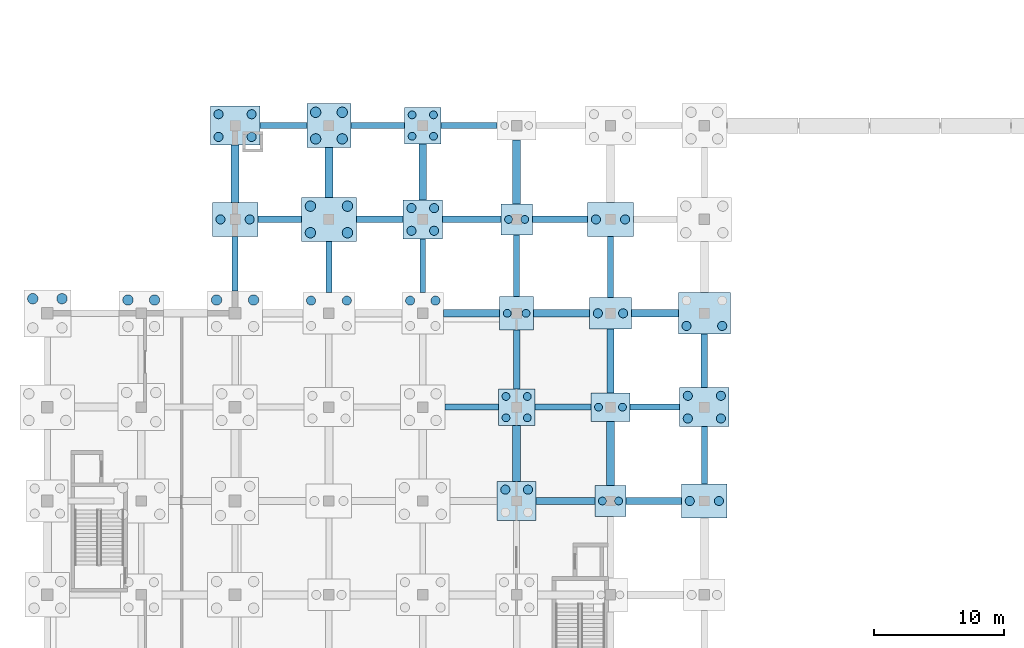
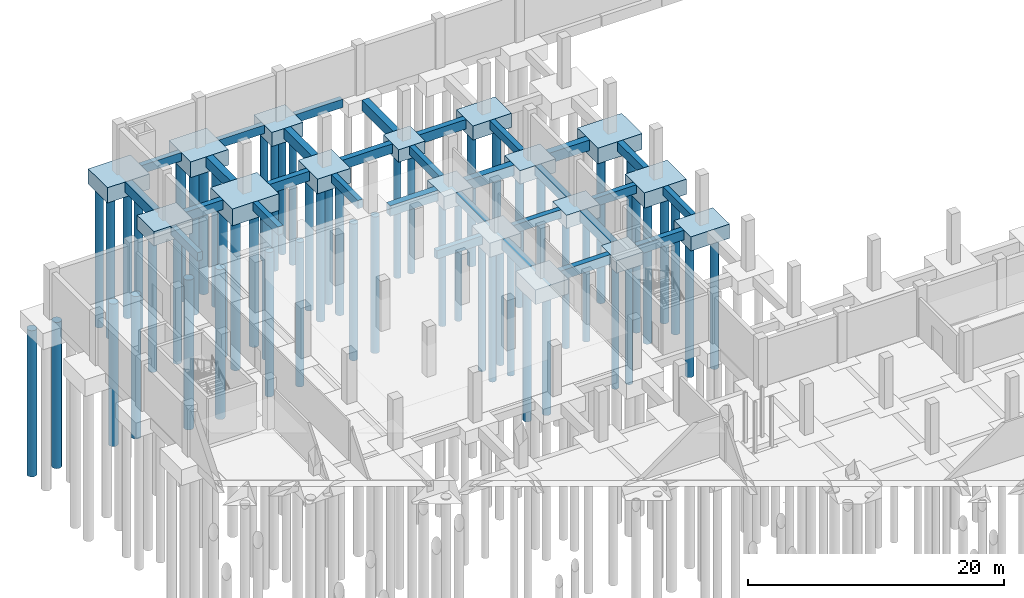
# One storey, part 9 of 38: 58 piles, 47 footings.
"""IFC4 building model written with IfcOpenShell, lengths in metres."""

from ifc_helpers import new_model, si_unit, direction, frame, origin, origin_2d, place, context, subcontext, project, spatial, rectangle, circle, extrude, material, material_profile, profile_set, type_object, element, save


model = new_model("IFC4")

# Units and contexts
model_context = context("Model", 3, precision=1e-05, world=origin(), true_north=direction((0.0, 1.0)))
body_context = subcontext(model_context, "Body", "Model", "MODEL_VIEW")
ifc_project = project(units=[si_unit("LENGTHUNIT", "METRE"), si_unit("AREAUNIT", "SQUARE_METRE"), si_unit("VOLUMEUNIT", "CUBIC_METRE"), si_unit("PLANEANGLEUNIT", "RADIAN"), si_unit("MASSUNIT", "GRAM", prefix="KILO")], contexts=[model_context])

# Site, building, storey
site_placement = place(None, origin())
site = spatial("IfcSite", under=ifc_project, at=site_placement, CompositionType="ELEMENT")
building_placement = place(site_placement, origin())
building = spatial("IfcBuilding", under=site, at=building_placement, Name="Valkovuoma Quantum and Materials Research Institute", CompositionType="ELEMENT")
storey_placement = place(building_placement, frame((0.0, 0.0, -4.800048828125)))
storey = spatial("IfcBuildingStorey", under=building, at=storey_placement, Name="B1", CompositionType="ELEMENT", Elevation=-4.800048828125)

# Footings
ifc_material_1 = material(Name="Concrete C35/45", Category="concrete")
footing_type_1 = type_object("IfcFootingType", Name="Cap-PC-03", PredefinedType="PILE_CAP", material=ifc_material_1)
for number, where, z_axis, x_axis, name in (
    (1, (36.0, 100.800048828125, -1.19970703125), (0.0, 0.0, 1.0), (1.0, 0.0, 0.0), "B1 pile cap 06Q"),
    (2, (43.199951171875, 79.199951171875, -1.19970703125), (0.0, 0.0, 1.0), (1.0, 0.0, 0.0), "B1 pile cap 07M"),
):
    element("IfcFooting", number, at=place(storey_placement, frame(where, z_axis=z_axis, x_axis=x_axis)), inside=storey, type_object=footing_type_1, Name=name, PredefinedType="PILE_CAP", context=body_context, shape_type="SweptSolid", body=[
        extrude(rectangle(XDim=2.39990234375, YDim=2.39990234375, at=origin_2d()), origin(), (0.0, 0.0, 1.0), 1.199951171875),
    ])
ifc_material_2 = material(Name="Concrete C35/45", Category="concrete")
footing_type_2 = type_object("IfcFootingType", Name="Cap-PC-04", PredefinedType="PILE_CAP", material=ifc_material_2)
footing_1_placement = place(storey_placement, frame((36.0, 93.60009765625, -1.2998046875), z_axis=(0.0, 0.0, 1.0), x_axis=(1.0, 0.0, 0.0)))
element("IfcFooting", 3, at=footing_1_placement, inside=storey, type_object=footing_type_2, Name="B1 pile cap 06P", PredefinedType="PILE_CAP", context=body_context, shape_type="SweptSolid", body=[
    extrude(rectangle(XDim=2.60009765625, YDim=2.60009765625, at=origin_2d()), origin(), (0.0, 0.0, 1.0), 1.300048828125),
])
ifc_material_3 = material(Name="Concrete C35/45", Category="concrete")
footing_type_3 = type_object("IfcFootingType", Name="Cap-PC-05", PredefinedType="PILE_CAP", material=ifc_material_3)
for number, where, z_axis, x_axis, name in (
    (4, (28.800048828125, 108.0, -1.35009765625), (0.0, 0.0, 1.0), (1.0, 0.0, 0.0), "B1 pile cap 05R"),
    (5, (36.0, 86.39990234375, -1.35009765625), (0.0, 0.0, 1.0), (1.0, 0.0, 0.0), "B1 pile cap 06N"),
):
    element("IfcFooting", number, at=place(storey_placement, frame(where, z_axis=z_axis, x_axis=x_axis)), inside=storey, type_object=footing_type_3, Name=name, PredefinedType="PILE_CAP", context=body_context, shape_type="SweptSolid", body=[
        extrude(rectangle(XDim=2.800048828125, YDim=2.800048828125, at=origin_2d()), origin(), (0.0, 0.0, 1.0), 1.35009765625),
    ])
ifc_material_4 = material(Name="Concrete C35/45", Category="concrete")
footing_type_4 = type_object("IfcFootingType", Name="Cap-PC-06", PredefinedType="PILE_CAP", material=ifc_material_4)
for number, where, z_axis, x_axis, name in (
    (6, (28.800048828125, 100.800048828125, -1.39990234375), (0.0, 0.0, 1.0), (1.0, 0.0, 0.0), "B1 pile cap 05Q"),
    (7, (36.0, 79.199951171875, -1.39990234375), (0.0, 0.0, 1.0), (1.0, 0.0, 0.0), "B1 pile cap 06M"),
):
    element("IfcFooting", number, at=place(storey_placement, frame(where, z_axis=z_axis, x_axis=x_axis)), inside=storey, type_object=footing_type_4, Name=name, PredefinedType="PILE_CAP", context=body_context, shape_type="SweptSolid", body=[
        extrude(rectangle(XDim=3.0, YDim=3.0, at=origin_2d()), origin(), (0.0, 0.0, 1.0), 1.39990234375),
    ])
ifc_material_5 = material(Name="Concrete C35/45", Category="concrete")
footing_type_5 = type_object("IfcFootingType", Name="Cap-PC-08", PredefinedType="PILE_CAP", material=ifc_material_5)
footing_2_placement = place(storey_placement, frame((21.60009765625, 108.0, -1.5), z_axis=(0.0, 0.0, 1.0), x_axis=(1.0, 0.0, 0.0)))
element("IfcFooting", 8, at=footing_2_placement, inside=storey, type_object=footing_type_5, Name="B1 pile cap 04R", PredefinedType="PILE_CAP", context=body_context, shape_type="SweptSolid", body=[
    extrude(rectangle(XDim=3.39990234375, YDim=3.39990234375, at=origin_2d()), origin(), (0.0, 0.0, 1.0), 1.5),
])
ifc_material_6 = material(Name="Concrete C35/45", Category="concrete")
footing_type_6 = type_object("IfcFootingType", Name="Cap-PC-11", PredefinedType="PILE_CAP", material=ifc_material_6)
footing_3_placement = place(storey_placement, frame((43.199951171875, 86.39990234375, -1.25), z_axis=(0.0, 0.0, 1.0), x_axis=(1.0, 0.0, 0.0)))
element("IfcFooting", 9, at=footing_3_placement, inside=storey, type_object=footing_type_6, Name="B1 pile cap 07N", PredefinedType="PILE_CAP", context=body_context, shape_type="SweptSolid", body=[
    extrude(rectangle(XDim=3.0, YDim=2.199951171875, at=origin_2d()), origin(), (0.0, 0.0, 1.0), 1.25),
])
ifc_material_7 = material(Name="Concrete C35/45", Category="concrete")
footing_type_7 = type_object("IfcFootingType", Name="Cap-PC-12", PredefinedType="PILE_CAP", material=ifc_material_7)
footing_4_placement = place(storey_placement, frame((43.199951171875, 93.60009765625, -1.2998046875), z_axis=(0.0, 0.0, 1.0), x_axis=(1.0, 0.0, 0.0)))
element("IfcFooting", 10, at=footing_4_placement, inside=storey, type_object=footing_type_7, Name="B1 pile cap 07P", PredefinedType="PILE_CAP", context=body_context, shape_type="SweptSolid", body=[
    extrude(rectangle(XDim=3.199951171875, YDim=2.39990234375, at=origin_2d()), origin(), (0.0, 0.0, 1.0), 1.300048828125),
])
ifc_material_8 = material(Name="Concrete C35/45", Category="concrete")
footing_type_8 = type_object("IfcFootingType", Name="Cap-PC-13", PredefinedType="PILE_CAP", material=ifc_material_8)
for number, where, z_axis, x_axis, name in (
    (11, (14.39990234375, 100.800048828125, -1.35009765625), (0.0, 0.0, 1.0), (1.0, 0.0, 0.0), "B1 pile cap 03Q"),
    (12, (43.199951171875, 100.800048828125, -1.35009765625), (0.0, 0.0, 1.0), (1.0, 0.0, 0.0), "B1 pile cap 07Q"),
    (13, (50.39990234375, 79.199951171875, -1.35009765625), (0.0, 0.0, 1.0), (1.0, 0.0, 0.0), "B1 pile cap 08M"),
):
    element("IfcFooting", number, at=place(storey_placement, frame(where, z_axis=z_axis, x_axis=x_axis)), inside=storey, type_object=footing_type_8, Name=name, PredefinedType="PILE_CAP", context=body_context, shape_type="SweptSolid", body=[
        extrude(rectangle(XDim=3.5, YDim=2.60009765625, at=origin_2d()), origin(), (0.0, 0.0, 1.0), 1.35009765625),
    ])
ifc_material_9 = material(Name="Concrete C35/45", Category="concrete")
footing_type_9 = type_object("IfcFootingType", Name="Cap-PC-14", PredefinedType="PILE_CAP", material=ifc_material_9)
for number, where, z_axis, x_axis, name in (
    (14, (14.39990234375, 108.0, -1.44970703125), (0.0, 0.0, 1.0), (1.0, 0.0, 0.0), "B1 pile cap 03R"),
    (15, (50.39990234375, 86.39990234375, -1.44970703125), (0.0, 0.0, 1.0), (1.0, 0.0, 0.0), "B1 pile cap 08N"),
):
    element("IfcFooting", number, at=place(storey_placement, frame(where, z_axis=z_axis, x_axis=x_axis)), inside=storey, type_object=footing_type_9, Name=name, PredefinedType="PILE_CAP", context=body_context, shape_type="SweptSolid", body=[
        extrude(rectangle(XDim=3.800048828125, YDim=3.0, at=origin_2d()), origin(), (0.0, 0.0, 1.0), 1.449951171875),
    ])
ifc_material_10 = material(Name="Concrete C35/45", Category="concrete")
footing_type_10 = type_object("IfcFootingType", Name="Cap-PC-15", PredefinedType="PILE_CAP", material=ifc_material_10)
footing_5_placement = place(storey_placement, frame((50.39990234375, 93.60009765625, -1.5), z_axis=(0.0, 0.0, 1.0), x_axis=(1.0, 0.0, 0.0)))
element("IfcFooting", 16, at=footing_5_placement, inside=storey, type_object=footing_type_10, Name="B1 pile cap 08P", PredefinedType="PILE_CAP", context=body_context, shape_type="SweptSolid", body=[
    extrude(rectangle(XDim=4.0, YDim=3.199951171875, at=origin_2d()), origin(), (0.0, 0.0, 1.0), 1.5),
])
ifc_material_11 = material(Name="Concrete C35/45", Category="concrete")
footing_type_11 = type_object("IfcFootingType", Name="Cap-PC-16", PredefinedType="PILE_CAP", material=ifc_material_11)
footing_6_placement = place(storey_placement, frame((21.60009765625, 100.800048828125, -1.60009765625), z_axis=(0.0, 0.0, 1.0), x_axis=(1.0, 0.0, 0.0)))
element("IfcFooting", 17, at=footing_6_placement, inside=storey, type_object=footing_type_11, Name="B1 pile cap 04Q", PredefinedType="PILE_CAP", context=body_context, shape_type="SweptSolid", body=[
    extrude(rectangle(XDim=4.199951171875, YDim=3.39990234375, at=origin_2d()), origin(), (0.0, 0.0, 1.0), 1.60009765625),
])
ifc_material_12 = material(Name="Concrete C35/45", Category="concrete")
footing_type_12 = type_object("IfcFootingType", Name="GndBeam-FB-01", PredefinedType="FOOTING_BEAM", material=ifc_material_12)
footing_7_placement = place(storey_placement, frame((14.39990234375, 97.39990234375, -0.7998046875), z_axis=(0.0, 0.0, 1.0), x_axis=(0.0, 1.0, 0.0)))
element("IfcFooting", 18, at=footing_7_placement, inside=storey, type_object=footing_type_12, Name="B1 ground tie beam Y-057", PredefinedType="FOOTING_BEAM", context=body_context, shape_type="SweptSolid", body=[
    extrude(rectangle(XDim=4.199951171875, YDim=0.449951171875, at=origin_2d()), origin(), (0.0, 0.0, 1.0), 0.800048828125),
])
footing_8_placement = place(storey_placement, frame((18.10009765625, 108.0, -0.7998046875), z_axis=(0.0, 0.0, 1.0), x_axis=(1.0, 0.0, 0.0)))
element("IfcFooting", 19, at=footing_8_placement, inside=storey, type_object=footing_type_12, Name="B1 ground tie beam X-060", PredefinedType="FOOTING_BEAM", context=body_context, shape_type="SweptSolid", body=[
    extrude(rectangle(XDim=3.60009765625, YDim=0.449951171875, at=origin_2d()), origin(), (0.0, 0.0, 1.0), 0.800048828125),
])
footing_9_placement = place(storey_placement, frame((21.60009765625, 97.14990234375, -0.7998046875), z_axis=(0.0, 0.0, 1.0), x_axis=(0.0, 1.0, 0.0)))
element("IfcFooting", 20, at=footing_9_placement, inside=storey, type_object=footing_type_12, Name="B1 ground tie beam Y-078", PredefinedType="FOOTING_BEAM", context=body_context, shape_type="SweptSolid", body=[
    extrude(rectangle(XDim=3.89990234375, YDim=0.449951171875, at=origin_2d()), origin(), (0.0, 0.0, 1.0), 0.800048828125),
])
for number, where, z_axis, x_axis, name in (
    (21, (25.35009765625, 108.0, -0.7998046875), (0.0, 0.0, 1.0), (1.0, 0.0, 0.0), "B1 ground tie beam X-081"),
    (22, (32.550048828125, 86.39990234375, -0.7998046875), (0.0, 0.0, 1.0), (1.0, 0.0, 0.0), "B1 ground tie beam X-096"),
    (23, (28.800048828125, 97.25, -0.7998046875), (0.0, 0.0, 1.0), (0.0, 1.0, 0.0), "B1 ground tie beam Y-099"),
):
    element("IfcFooting", number, at=place(storey_placement, frame(where, z_axis=z_axis, x_axis=x_axis)), inside=storey, type_object=footing_type_12, Name=name, PredefinedType="FOOTING_BEAM", context=body_context, shape_type="SweptSolid", body=[
        extrude(rectangle(XDim=4.10009765625, YDim=0.449951171875, at=origin_2d()), origin(), (0.0, 0.0, 1.0), 0.800048828125),
    ])
for number, where, z_axis, x_axis, name in (
    (24, (32.35009765625, 108.0, -0.7998046875), (0.0, 0.0, 1.0), (1.0, 0.0, 0.0), "B1 ground tie beam X-102"),
    (25, (39.550048828125, 86.39990234375, -0.7998046875), (0.0, 0.0, 1.0), (1.0, 0.0, 0.0), "B1 ground tie beam X-117"),
):
    element("IfcFooting", number, at=place(storey_placement, frame(where, z_axis=z_axis, x_axis=x_axis)), inside=storey, type_object=footing_type_12, Name=name, PredefinedType="FOOTING_BEAM", context=body_context, shape_type="SweptSolid", body=[
        extrude(rectangle(XDim=4.300048828125, YDim=0.449951171875, at=origin_2d()), origin(), (0.0, 0.0, 1.0), 0.800048828125),
    ])
footing_10_placement = place(storey_placement, frame((36.0, 97.25, -0.7998046875), z_axis=(0.0, 0.0, 1.0), x_axis=(0.0, 1.0, 0.0)))
element("IfcFooting", 26, at=footing_10_placement, inside=storey, type_object=footing_type_12, Name="B1 ground tie beam Y-120", PredefinedType="FOOTING_BEAM", context=body_context, shape_type="SweptSolid", body=[
    extrude(rectangle(XDim=4.699951171875, YDim=0.449951171875, at=origin_2d()), origin(), (0.0, 0.0, 1.0), 0.800048828125),
])
footing_11_placement = place(storey_placement, frame((46.60009765625, 86.39990234375, -0.7998046875), z_axis=(0.0, 0.0, 1.0), x_axis=(1.0, 0.0, 0.0)))
element("IfcFooting", 27, at=footing_11_placement, inside=storey, type_object=footing_type_12, Name="B1 ground tie beam X-138", PredefinedType="FOOTING_BEAM", context=body_context, shape_type="SweptSolid", body=[
    extrude(rectangle(XDim=3.800048828125, YDim=0.449951171875, at=origin_2d()), origin(), (0.0, 0.0, 1.0), 0.800048828125),
])
footing_12_placement = place(storey_placement, frame((43.199951171875, 97.14990234375, -0.7998046875), z_axis=(0.0, 0.0, 1.0), x_axis=(0.0, 1.0, 0.0)))
element("IfcFooting", 28, at=footing_12_placement, inside=storey, type_object=footing_type_12, Name="B1 ground tie beam Y-141", PredefinedType="FOOTING_BEAM", context=body_context, shape_type="SweptSolid", body=[
    extrude(rectangle(XDim=4.699951171875, YDim=0.449951171875, at=origin_2d()), origin(), (0.0, 0.0, 1.0), 0.800048828125),
])
footing_13_placement = place(storey_placement, frame((50.39990234375, 82.699951171875, -0.7998046875), z_axis=(0.0, 0.0, 1.0), x_axis=(0.0, 1.0, 0.0)))
element("IfcFooting", 29, at=footing_13_placement, inside=storey, type_object=footing_type_12, Name="B1 ground tie beam Y-156", PredefinedType="FOOTING_BEAM", context=body_context, shape_type="SweptSolid", body=[
    extrude(rectangle(XDim=4.39990234375, YDim=0.449951171875, at=origin_2d()), origin(), (0.0, 0.0, 1.0), 0.800048828125),
])
ifc_material_13 = material(Name="Concrete C35/45", Category="concrete")
footing_type_13 = type_object("IfcFootingType", Name="GndBeam-FB-02", PredefinedType="FOOTING_BEAM", material=ifc_material_13)
footing_14_placement = place(storey_placement, frame((17.824951171875, 100.800048828125, -0.89990234375), z_axis=(0.0, 0.0, 1.0), x_axis=(1.0, 0.0, 0.0)))
element("IfcFooting", 30, at=footing_14_placement, inside=storey, type_object=footing_type_13, Name="B1 ground tie beam X-058", PredefinedType="FOOTING_BEAM", context=body_context, shape_type="SweptSolid", body=[
    extrude(rectangle(XDim=3.35009765625, YDim=0.5, at=origin_2d()), origin(), (0.0, 0.0, 1.0), 0.89990234375),
])
footing_15_placement = place(storey_placement, frame((25.5, 100.800048828125, -0.89990234375), z_axis=(0.0, 0.0, 1.0), x_axis=(1.0, 0.0, 0.0)))
element("IfcFooting", 31, at=footing_15_placement, inside=storey, type_object=footing_type_13, Name="B1 ground tie beam X-079", PredefinedType="FOOTING_BEAM", context=body_context, shape_type="SweptSolid", body=[
    extrude(rectangle(XDim=3.60009765625, YDim=0.5, at=origin_2d()), origin(), (0.0, 0.0, 1.0), 0.89990234375),
])
for number, where, z_axis, x_axis, name in (
    (32, (32.550048828125, 100.800048828125, -0.89990234375), (0.0, 0.0, 1.0), (1.0, 0.0, 0.0), "B1 ground tie beam X-100"),
    (33, (39.75, 79.199951171875, -0.89990234375), (0.0, 0.0, 1.0), (1.0, 0.0, 0.0), "B1 ground tie beam X-115"),
    (34, (36.0, 90.050048828125, -0.89990234375), (0.0, 0.0, 1.0), (0.0, 1.0, 0.0), "B1 ground tie beam Y-118"),
):
    element("IfcFooting", number, at=place(storey_placement, frame(where, z_axis=z_axis, x_axis=x_axis)), inside=storey, type_object=footing_type_13, Name=name, PredefinedType="FOOTING_BEAM", context=body_context, shape_type="SweptSolid", body=[
        extrude(rectangle(XDim=4.5, YDim=0.5, at=origin_2d()), origin(), (0.0, 0.0, 1.0), 0.89990234375),
    ])
for number, where, z_axis, x_axis, name in (
    (35, (39.324951171875, 100.800048828125, -0.89990234375), (0.0, 0.0, 1.0), (1.0, 0.0, 0.0), "B1 ground tie beam X-121"),
    (36, (46.52490234375, 79.199951171875, -0.89990234375), (0.0, 0.0, 1.0), (1.0, 0.0, 0.0), "B1 ground tie beam X-136"),
):
    element("IfcFooting", number, at=place(storey_placement, frame(where, z_axis=z_axis, x_axis=x_axis)), inside=storey, type_object=footing_type_13, Name=name, PredefinedType="FOOTING_BEAM", context=body_context, shape_type="SweptSolid", body=[
        extrude(rectangle(XDim=4.25, YDim=0.5, at=origin_2d()), origin(), (0.0, 0.0, 1.0), 0.89990234375),
    ])
footing_16_placement = place(storey_placement, frame((43.199951171875, 89.949951171875, -0.89990234375), z_axis=(0.0, 0.0, 1.0), x_axis=(0.0, 1.0, 0.0)))
element("IfcFooting", 37, at=footing_16_placement, inside=storey, type_object=footing_type_13, Name="B1 ground tie beam Y-139", PredefinedType="FOOTING_BEAM", context=body_context, shape_type="SweptSolid", body=[
    extrude(rectangle(XDim=4.89990234375, YDim=0.5, at=origin_2d()), origin(), (0.0, 0.0, 1.0), 0.89990234375),
])
footing_17_placement = place(storey_placement, frame((50.39990234375, 89.949951171875, -0.89990234375), z_axis=(0.0, 0.0, 1.0), x_axis=(0.0, 1.0, 0.0)))
element("IfcFooting", 38, at=footing_17_placement, inside=storey, type_object=footing_type_13, Name="B1 ground tie beam Y-157", PredefinedType="FOOTING_BEAM", context=body_context, shape_type="SweptSolid", body=[
    extrude(rectangle(XDim=4.10009765625, YDim=0.5, at=origin_2d()), origin(), (0.0, 0.0, 1.0), 0.89990234375),
])
ifc_material_14 = material(Name="Concrete C35/45", Category="concrete")
footing_type_14 = type_object("IfcFootingType", Name="GndBeam-FB-03", PredefinedType="FOOTING_BEAM", material=ifc_material_14)
footing_18_placement = place(storey_placement, frame((14.39990234375, 104.300048828125, -1.0), z_axis=(0.0, 0.0, 1.0), x_axis=(0.0, 1.0, 0.0)))
element("IfcFooting", 39, at=footing_18_placement, inside=storey, type_object=footing_type_14, Name="B1 ground tie beam Y-059", PredefinedType="FOOTING_BEAM", context=body_context, shape_type="SweptSolid", body=[
    extrude(rectangle(XDim=4.39990234375, YDim=0.60009765625, at=origin_2d()), origin(), (0.0, 0.0, 1.0), 1.0),
])
footing_19_placement = place(storey_placement, frame((21.60009765625, 104.39990234375, -1.0), z_axis=(0.0, 0.0, 1.0), x_axis=(0.0, 1.0, 0.0)))
element("IfcFooting", 40, at=footing_19_placement, inside=storey, type_object=footing_type_14, Name="B1 ground tie beam Y-080", PredefinedType="FOOTING_BEAM", context=body_context, shape_type="SweptSolid", body=[
    extrude(rectangle(XDim=3.800048828125, YDim=0.60009765625, at=origin_2d()), origin(), (0.0, 0.0, 1.0), 1.0),
])
for number, where, z_axis, x_axis, name in (
    (41, (32.550048828125, 93.60009765625, -1.0), (0.0, 0.0, 1.0), (1.0, 0.0, 0.0), "B1 ground tie beam X-098"),
    (42, (28.800048828125, 104.449951171875, -1.0), (0.0, 0.0, 1.0), (0.0, 1.0, 0.0), "B1 ground tie beam Y-101"),
    (43, (36.0, 82.85009765625, -1.0), (0.0, 0.0, 1.0), (0.0, 1.0, 0.0), "B1 ground tie beam Y-116"),
    (44, (39.449951171875, 93.60009765625, -1.0), (0.0, 0.0, 1.0), (1.0, 0.0, 0.0), "B1 ground tie beam X-119"),
):
    element("IfcFooting", number, at=place(storey_placement, frame(where, z_axis=z_axis, x_axis=x_axis)), inside=storey, type_object=footing_type_14, Name=name, PredefinedType="FOOTING_BEAM", context=body_context, shape_type="SweptSolid", body=[
        extrude(rectangle(XDim=4.300048828125, YDim=0.60009765625, at=origin_2d()), origin(), (0.0, 0.0, 1.0), 1.0),
    ])
for number, where, z_axis, x_axis, name in (
    (45, (36.0, 104.449951171875, -1.0), (0.0, 0.0, 1.0), (0.0, 1.0, 0.0), "B1 ground tie beam Y-122"),
    (46, (43.199951171875, 82.85009765625, -1.0), (0.0, 0.0, 1.0), (0.0, 1.0, 0.0), "B1 ground tie beam Y-137"),
):
    element("IfcFooting", number, at=place(storey_placement, frame(where, z_axis=z_axis, x_axis=x_axis)), inside=storey, type_object=footing_type_14, Name=name, PredefinedType="FOOTING_BEAM", context=body_context, shape_type="SweptSolid", body=[
        extrude(rectangle(XDim=4.89990234375, YDim=0.60009765625, at=origin_2d()), origin(), (0.0, 0.0, 1.0), 1.0),
    ])
footing_20_placement = place(storey_placement, frame((46.60009765625, 93.60009765625, -1.0), z_axis=(0.0, 0.0, 1.0), x_axis=(1.0, 0.0, 0.0)))
element("IfcFooting", 47, at=footing_20_placement, inside=storey, type_object=footing_type_14, Name="B1 ground tie beam X-140", PredefinedType="FOOTING_BEAM", context=body_context, shape_type="SweptSolid", body=[
    extrude(rectangle(XDim=3.60009765625, YDim=0.60009765625, at=origin_2d()), origin(), (0.0, 0.0, 1.0), 1.0),
])

# Piles
ifc_material_15 = material(Name="Concrete C40/50", Category="concrete")
ifc_material_profile_1 = material_profile(ifc_material_15, circle(Radius=0.300048828125, at=origin_2d()), Name="Concrete C40/50")
ifc_profile_set_1 = profile_set([ifc_material_profile_1], Name="Concrete C40/50")
pile_type_1 = type_object("IfcPileType", Name="Pile-PL-B600", PredefinedType="BORED", material=ifc_profile_set_1)
for number, where, z_axis, x_axis, name in (
    (48, (27.97998046875, 107.179931640625, -1.25), (0.0, 0.0, -1.0), (1.0, 0.0, 0.0), "B1 pile 05R-1"),
    (49, (29.6201171875, 107.179931640625, -1.25), (0.0, 0.0, -1.0), (1.0, 0.0, 0.0), "B1 pile 05R-2"),
    (50, (27.97998046875, 108.820068359375, -1.25), (0.0, 0.0, -1.0), (1.0, 0.0, 0.0), "B1 pile 05R-3"),
    (51, (29.6201171875, 108.820068359375, -1.25), (0.0, 0.0, -1.0), (1.0, 0.0, 0.0), "B1 pile 05R-4"),
    (52, (35.179931640625, 85.580078125, -1.25), (0.0, 0.0, -1.0), (1.0, 0.0, 0.0), "B1 pile 06N-1"),
    (53, (36.820068359375, 85.580078125, -1.25), (0.0, 0.0, -1.0), (1.0, 0.0, 0.0), "B1 pile 06N-2"),
    (54, (35.179931640625, 87.219970703125, -1.25), (0.0, 0.0, -1.0), (1.0, 0.0, 0.0), "B1 pile 06N-3"),
    (55, (36.820068359375, 87.219970703125, -1.25), (0.0, 0.0, -1.0), (1.0, 0.0, 0.0), "B1 pile 06N-4"),
):
    element("IfcPile", number, at=place(storey_placement, frame(where, z_axis=z_axis, x_axis=x_axis)), inside=storey, type_object=pile_type_1, Name=name, PredefinedType="BORED", context=body_context, shape_type="SweptSolid", body=[
        extrude(circle(Radius=0.300048828125, at=origin_2d()), origin(), (0.0, 0.0, 1.0), 12.35009765625),
    ])
for number, where, z_axis, x_axis, name in (
    (56, (35.280029296875, 93.60009765625, -1.199951171875), (0.0, 0.0, -1.0), (1.0, 0.0, 0.0), "B1 pile 06P-1"),
    (57, (36.719970703125, 93.60009765625, -1.199951171875), (0.0, 0.0, -1.0), (1.0, 0.0, 0.0), "B1 pile 06P-2"),
):
    element("IfcPile", number, at=place(storey_placement, frame(where, z_axis=z_axis, x_axis=x_axis)), inside=storey, type_object=pile_type_1, Name=name, PredefinedType="BORED", context=body_context, shape_type="SweptSolid", body=[
        extrude(circle(Radius=0.300048828125, at=origin_2d()), origin(), (0.0, 0.0, 1.0), 12.0),
    ])
for number, where, z_axis, x_axis, name in (
    (58, (35.3798828125, 100.800048828125, -1.099853515625), (0.0, 0.0, -1.0), (1.0, 0.0, 0.0), "B1 pile 06Q-1"),
    (59, (36.6201171875, 100.800048828125, -1.099853515625), (0.0, 0.0, -1.0), (1.0, 0.0, 0.0), "B1 pile 06Q-2"),
    (60, (42.580078125, 79.199951171875, -1.099853515625), (0.0, 0.0, -1.0), (1.0, 0.0, 0.0), "B1 pile 07M-1"),
    (61, (43.820068359375, 79.199951171875, -1.099853515625), (0.0, 0.0, -1.0), (1.0, 0.0, 0.0), "B1 pile 07M-2"),
):
    element("IfcPile", number, at=place(storey_placement, frame(where, z_axis=z_axis, x_axis=x_axis)), inside=storey, type_object=pile_type_1, Name=name, PredefinedType="BORED", context=body_context, shape_type="SweptSolid", body=[
        extrude(circle(Radius=0.300048828125, at=origin_2d()), origin(), (0.0, 0.0, 1.0), 11.89990234375),
    ])
for number, where, z_axis, x_axis, name in (
    (62, (42.280029296875, 86.39990234375, -1.14990234375), (0.0, 0.0, -1.0), (1.0, 0.0, 0.0), "B1 pile 07N-1"),
    (63, (44.1201171875, 86.39990234375, -1.14990234375), (0.0, 0.0, -1.0), (1.0, 0.0, 0.0), "B1 pile 07N-2"),
):
    element("IfcPile", number, at=place(storey_placement, frame(where, z_axis=z_axis, x_axis=x_axis)), inside=storey, type_object=pile_type_1, Name=name, PredefinedType="BORED", context=body_context, shape_type="SweptSolid", body=[
        extrude(circle(Radius=0.300048828125, at=origin_2d()), origin(), (0.0, 0.0, 1.0), 12.25),
    ])
ifc_material_16 = material(Name="Concrete C40/50", Category="concrete")
ifc_material_profile_2 = material_profile(ifc_material_16, circle(Radius=0.35009765625, at=origin_2d()), Name="Concrete C40/50")
ifc_profile_set_2 = profile_set([ifc_material_profile_2], Name="Concrete C40/50")
pile_type_2 = type_object("IfcPileType", Name="Pile-PL-B700", PredefinedType="BORED", material=ifc_profile_set_2)
for number, where, z_axis, x_axis, name in (
    (64, (13.280029296875, 100.800048828125, -1.25), (0.0, 0.0, -1.0), (1.0, 0.0, 0.0), "B1 pile 03Q-1"),
    (65, (15.52001953125, 100.800048828125, -1.25), (0.0, 0.0, -1.0), (1.0, 0.0, 0.0), "B1 pile 03Q-2"),
):
    element("IfcPile", number, at=place(storey_placement, frame(where, z_axis=z_axis, x_axis=x_axis)), inside=storey, type_object=pile_type_2, Name=name, PredefinedType="BORED", context=body_context, shape_type="SweptSolid", body=[
        extrude(circle(Radius=0.35009765625, at=origin_2d()), origin(), (0.0, 0.0, 1.0), 12.949951171875),
    ])
for number, where, z_axis, x_axis, name in (
    (66, (13.1298828125, 107.1298828125, -1.349853515625), (0.0, 0.0, -1.0), (1.0, 0.0, 0.0), "B1 pile 03R-1"),
    (67, (15.669921875, 107.1298828125, -1.349853515625), (0.0, 0.0, -1.0), (1.0, 0.0, 0.0), "B1 pile 03R-2"),
    (68, (13.1298828125, 108.8701171875, -1.349853515625), (0.0, 0.0, -1.0), (1.0, 0.0, 0.0), "B1 pile 03R-3"),
    (69, (15.669921875, 108.8701171875, -1.349853515625), (0.0, 0.0, -1.0), (1.0, 0.0, 0.0), "B1 pile 03R-4"),
):
    element("IfcPile", number, at=place(storey_placement, frame(where, z_axis=z_axis, x_axis=x_axis)), inside=storey, type_object=pile_type_2, Name=name, PredefinedType="BORED", context=body_context, shape_type="SweptSolid", body=[
        extrude(circle(Radius=0.35009765625, at=origin_2d()), origin(), (0.0, 0.0, 1.0), 13.449951171875),
    ])
for number, where, z_axis, x_axis, name in (
    (70, (20.22998046875, 94.570068359375, -1.39990234375), (0.0, 0.0, -1.0), (1.0, 0.0, 0.0), "B1 pile 04P-3"),
    (71, (22.969970703125, 94.570068359375, -1.39990234375), (0.0, 0.0, -1.0), (1.0, 0.0, 0.0), "B1 pile 04P-4"),
):
    element("IfcPile", number, at=place(storey_placement, frame(where, z_axis=z_axis, x_axis=x_axis)), inside=storey, type_object=pile_type_2, Name=name, PredefinedType="BORED", context=body_context, shape_type="SweptSolid", body=[
        extrude(circle(Radius=0.35009765625, at=origin_2d()), origin(), (0.0, 0.0, 1.0), 13.800048828125),
    ])
for number, where, z_axis, x_axis, name in (
    (72, (27.830078125, 94.570068359375, -1.349853515625), (0.0, 0.0, -1.0), (1.0, 0.0, 0.0), "B1 pile 05P-3"),
    (73, (29.77001953125, 94.570068359375, -1.349853515625), (0.0, 0.0, -1.0), (1.0, 0.0, 0.0), "B1 pile 05P-4"),
):
    element("IfcPile", number, at=place(storey_placement, frame(where, z_axis=z_axis, x_axis=x_axis)), inside=storey, type_object=pile_type_2, Name=name, PredefinedType="BORED", context=body_context, shape_type="SweptSolid", body=[
        extrude(circle(Radius=0.35009765625, at=origin_2d()), origin(), (0.0, 0.0, 1.0), 13.050048828125),
    ])
for number, where, z_axis, x_axis, name in (
    (74, (27.929931640625, 99.929931640625, -1.300048828125), (0.0, 0.0, -1.0), (1.0, 0.0, 0.0), "B1 pile 05Q-1"),
    (75, (29.669921875, 99.929931640625, -1.300048828125), (0.0, 0.0, -1.0), (1.0, 0.0, 0.0), "B1 pile 05Q-2"),
    (76, (27.929931640625, 101.669921875, -1.300048828125), (0.0, 0.0, -1.0), (1.0, 0.0, 0.0), "B1 pile 05Q-3"),
    (77, (29.669921875, 101.669921875, -1.300048828125), (0.0, 0.0, -1.0), (1.0, 0.0, 0.0), "B1 pile 05Q-4"),
    (78, (35.1298828125, 80.070068359375, -1.300048828125), (0.0, 0.0, -1.0), (1.0, 0.0, 0.0), "B1 pile 06M-3"),
    (79, (36.8701171875, 80.070068359375, -1.300048828125), (0.0, 0.0, -1.0), (1.0, 0.0, 0.0), "B1 pile 06M-4"),
):
    element("IfcPile", number, at=place(storey_placement, frame(where, z_axis=z_axis, x_axis=x_axis)), inside=storey, type_object=pile_type_2, Name=name, PredefinedType="BORED", context=body_context, shape_type="SweptSolid", body=[
        extrude(circle(Radius=0.35009765625, at=origin_2d()), origin(), (0.0, 0.0, 1.0), 12.699951171875),
    ])
for number, where, z_axis, x_axis, name in (
    (80, (42.22998046875, 93.60009765625, -1.199951171875), (0.0, 0.0, -1.0), (1.0, 0.0, 0.0), "B1 pile 07P-1"),
    (81, (44.169921875, 93.60009765625, -1.199951171875), (0.0, 0.0, -1.0), (1.0, 0.0, 0.0), "B1 pile 07P-2"),
):
    element("IfcPile", number, at=place(storey_placement, frame(where, z_axis=z_axis, x_axis=x_axis)), inside=storey, type_object=pile_type_2, Name=name, PredefinedType="BORED", context=body_context, shape_type="SweptSolid", body=[
        extrude(circle(Radius=0.35009765625, at=origin_2d()), origin(), (0.0, 0.0, 1.0), 12.60009765625),
    ])
for number, where, z_axis, x_axis, name in (
    (82, (42.080078125, 100.800048828125, -1.25), (0.0, 0.0, -1.0), (1.0, 0.0, 0.0), "B1 pile 07Q-1"),
    (83, (44.320068359375, 100.800048828125, -1.25), (0.0, 0.0, -1.0), (1.0, 0.0, 0.0), "B1 pile 07Q-2"),
    (84, (49.280029296875, 79.199951171875, -1.25), (0.0, 0.0, -1.0), (1.0, 0.0, 0.0), "B1 pile 08M-1"),
    (85, (51.52001953125, 79.199951171875, -1.25), (0.0, 0.0, -1.0), (1.0, 0.0, 0.0), "B1 pile 08M-2"),
):
    element("IfcPile", number, at=place(storey_placement, frame(where, z_axis=z_axis, x_axis=x_axis)), inside=storey, type_object=pile_type_2, Name=name, PredefinedType="BORED", context=body_context, shape_type="SweptSolid", body=[
        extrude(circle(Radius=0.35009765625, at=origin_2d()), origin(), (0.0, 0.0, 1.0), 12.949951171875),
    ])
for number, where, z_axis, x_axis, name in (
    (86, (49.1298828125, 85.530029296875, -1.349853515625), (0.0, 0.0, -1.0), (1.0, 0.0, 0.0), "B1 pile 08N-1"),
    (87, (51.669921875, 85.530029296875, -1.349853515625), (0.0, 0.0, -1.0), (1.0, 0.0, 0.0), "B1 pile 08N-2"),
    (88, (49.1298828125, 87.27001953125, -1.349853515625), (0.0, 0.0, -1.0), (1.0, 0.0, 0.0), "B1 pile 08N-3"),
    (89, (51.669921875, 87.27001953125, -1.349853515625), (0.0, 0.0, -1.0), (1.0, 0.0, 0.0), "B1 pile 08N-4"),
):
    element("IfcPile", number, at=place(storey_placement, frame(where, z_axis=z_axis, x_axis=x_axis)), inside=storey, type_object=pile_type_2, Name=name, PredefinedType="BORED", context=body_context, shape_type="SweptSolid", body=[
        extrude(circle(Radius=0.35009765625, at=origin_2d()), origin(), (0.0, 0.0, 1.0), 13.449951171875),
    ])
for number, where, z_axis, x_axis, name in (
    (90, (49.030029296875, 92.6298828125, -1.39990234375), (0.0, 0.0, -1.0), (1.0, 0.0, 0.0), "B1 pile 08P-1"),
    (91, (51.77001953125, 92.6298828125, -1.39990234375), (0.0, 0.0, -1.0), (1.0, 0.0, 0.0), "B1 pile 08P-2"),
):
    element("IfcPile", number, at=place(storey_placement, frame(where, z_axis=z_axis, x_axis=x_axis)), inside=storey, type_object=pile_type_2, Name=name, PredefinedType="BORED", context=body_context, shape_type="SweptSolid", body=[
        extrude(circle(Radius=0.35009765625, at=origin_2d()), origin(), (0.0, 0.0, 1.0), 13.800048828125),
    ])
ifc_material_17 = material(Name="Concrete C40/50", Category="concrete")
ifc_material_profile_3 = material_profile(ifc_material_17, circle(Radius=0.39990234375, at=origin_2d()), Name="Concrete C40/50")
ifc_profile_set_3 = profile_set([ifc_material_profile_3], Name="Concrete C40/50")
pile_type_3 = type_object("IfcPileType", Name="Pile-PL-B800", PredefinedType="BORED", material=ifc_profile_set_3)
for number, where, z_axis, x_axis, name in (
    (92, (-1.1201171875, 94.719970703125, -1.449951171875), (0.0, 0.0, -1.0), (1.0, 0.0, 0.0), "B1 pile 01P-3"),
    (93, (1.1201171875, 94.719970703125, -1.449951171875), (0.0, 0.0, -1.0), (1.0, 0.0, 0.0), "B1 pile 01P-4"),
):
    element("IfcPile", number, at=place(storey_placement, frame(where, z_axis=z_axis, x_axis=x_axis)), inside=storey, type_object=pile_type_3, Name=name, PredefinedType="BORED", context=body_context, shape_type="SweptSolid", body=[
        extrude(circle(Radius=0.39990234375, at=origin_2d()), origin(), (0.0, 0.0, 1.0), 13.949951171875),
    ])
for number, where, z_axis, x_axis, name in (
    (94, (6.179931640625, 94.6201171875, -1.39990234375), (0.0, 0.0, -1.0), (1.0, 0.0, 0.0), "B1 pile 02P-3"),
    (95, (8.219970703125, 94.6201171875, -1.39990234375), (0.0, 0.0, -1.0), (1.0, 0.0, 0.0), "B1 pile 02P-4"),
):
    element("IfcPile", number, at=place(storey_placement, frame(where, z_axis=z_axis, x_axis=x_axis)), inside=storey, type_object=pile_type_3, Name=name, PredefinedType="BORED", context=body_context, shape_type="SweptSolid", body=[
        extrude(circle(Radius=0.39990234375, at=origin_2d()), origin(), (0.0, 0.0, 1.0), 13.60009765625),
    ])
for number, where, z_axis, x_axis, name in (
    (96, (12.97998046875, 94.6201171875, -1.5), (0.0, 0.0, -1.0), (1.0, 0.0, 0.0), "B1 pile 03P-3"),
    (97, (15.820068359375, 94.6201171875, -1.5), (0.0, 0.0, -1.0), (1.0, 0.0, 0.0), "B1 pile 03P-4"),
    (98, (20.179931640625, 99.780029296875, -1.5), (0.0, 0.0, -1.0), (1.0, 0.0, 0.0), "B1 pile 04Q-1"),
    (99, (23.02001953125, 99.780029296875, -1.5), (0.0, 0.0, -1.0), (1.0, 0.0, 0.0), "B1 pile 04Q-2"),
    (100, (20.179931640625, 101.820068359375, -1.5), (0.0, 0.0, -1.0), (1.0, 0.0, 0.0), "B1 pile 04Q-3"),
    (101, (23.02001953125, 101.820068359375, -1.5), (0.0, 0.0, -1.0), (1.0, 0.0, 0.0), "B1 pile 04Q-4"),
):
    element("IfcPile", number, at=place(storey_placement, frame(where, z_axis=z_axis, x_axis=x_axis)), inside=storey, type_object=pile_type_3, Name=name, PredefinedType="BORED", context=body_context, shape_type="SweptSolid", body=[
        extrude(circle(Radius=0.39990234375, at=origin_2d()), origin(), (0.0, 0.0, 1.0), 14.300048828125),
    ])
for number, where, z_axis, x_axis, name in (
    (102, (20.580078125, 106.97998046875, -1.39990234375), (0.0, 0.0, -1.0), (1.0, 0.0, 0.0), "B1 pile 04R-1"),
    (103, (22.6201171875, 106.97998046875, -1.39990234375), (0.0, 0.0, -1.0), (1.0, 0.0, 0.0), "B1 pile 04R-2"),
    (104, (20.580078125, 109.02001953125, -1.39990234375), (0.0, 0.0, -1.0), (1.0, 0.0, 0.0), "B1 pile 04R-3"),
    (105, (22.6201171875, 109.02001953125, -1.39990234375), (0.0, 0.0, -1.0), (1.0, 0.0, 0.0), "B1 pile 04R-4"),
):
    element("IfcPile", number, at=place(storey_placement, frame(where, z_axis=z_axis, x_axis=x_axis)), inside=storey, type_object=pile_type_3, Name=name, PredefinedType="BORED", context=body_context, shape_type="SweptSolid", body=[
        extrude(circle(Radius=0.39990234375, at=origin_2d()), origin(), (0.0, 0.0, 1.0), 13.60009765625),
    ])

save(model, "model.ifc")
